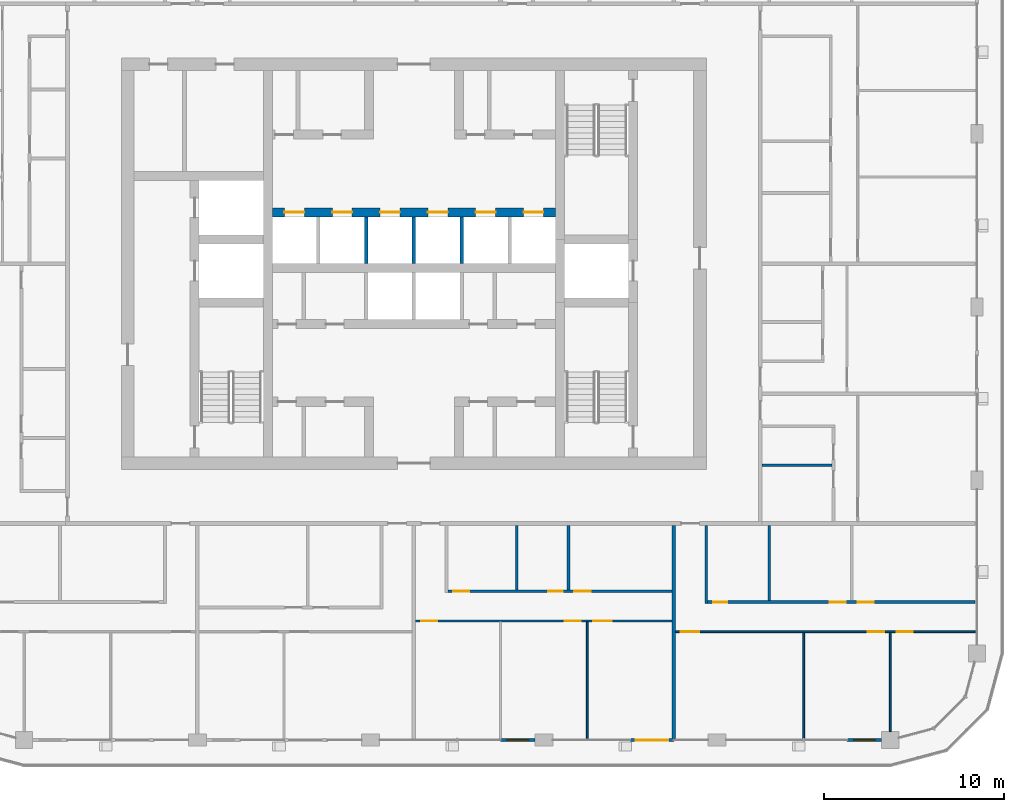
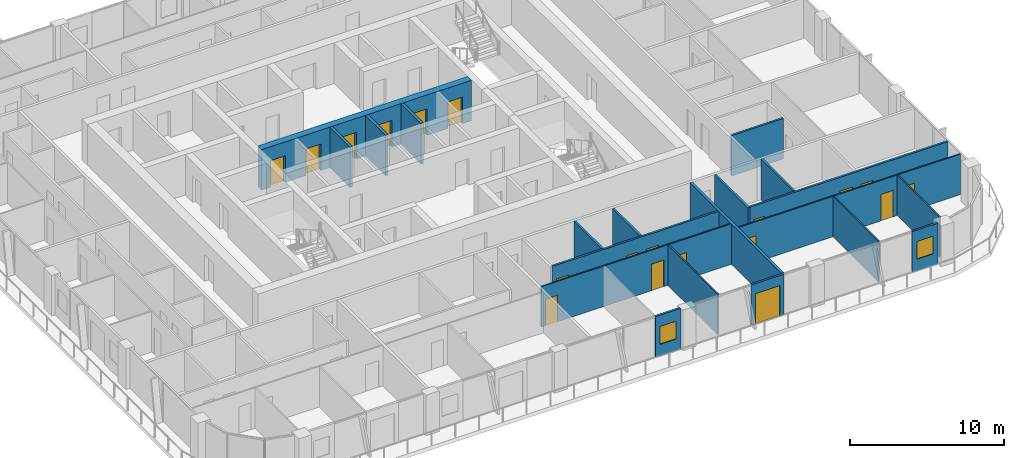
# One storey, part 11 of 22: 20 walls, 19 doors, 2 windows, 21 openings.
"""IFC4 building model written with IfcOpenShell, lengths in metres."""

from ifc_helpers import new_model, si_unit, direction, frame, frame_2d, origin, place, context, subcontext, project, spatial, rectangle, extrude, material, layer, layer_set, type_object, element, fill, save


model = new_model("IFC4")

# Units and contexts
model_context = context("Model", 3, precision=1e-05, world=origin(), true_north=direction((0.0, 1.0)))
body_context = subcontext(model_context, "Body", "Model", "MODEL_VIEW")
ifc_project = project(units=[si_unit("LENGTHUNIT", "METRE"), si_unit("AREAUNIT", "SQUARE_METRE"), si_unit("VOLUMEUNIT", "CUBIC_METRE"), si_unit("PLANEANGLEUNIT", "RADIAN"), si_unit("MASSUNIT", "GRAM", prefix="KILO")], contexts=[model_context])

# Site, building, storey
site_placement = place(None, origin())
site = spatial("IfcSite", under=ifc_project, at=site_placement, CompositionType="ELEMENT")
building_placement = place(site_placement, origin())
building = spatial("IfcBuilding", under=site, at=building_placement, Name="Madar Terraces", CompositionType="ELEMENT")
storey_placement = place(building_placement, frame((0.0, 0.0, 189.39990234375)))
storey = spatial("IfcBuildingStorey", under=building, at=storey_placement, Name="L49", CompositionType="ELEMENT", Elevation=189.39990234375)

# Wall, openings, doors
ifc_material_1 = material(Name="Concrete C60/75", Category="concrete")
ifc_layer_1 = layer(ifc_material_1, 0.5)
ifc_layer_set_1 = layer_set([ifc_layer_1], Name="Concrete C60/75 (CIW4 RC wall 500)")
wall_type_1 = type_object("IfcWallType", Name="CIW4 RC wall 500", PredefinedType="SHEAR", material=ifc_layer_set_1)
wall_1_placement = place(storey_placement, frame((23.35009765625, 29.25, 0.0), z_axis=(0.0, 0.0, 1.0), x_axis=(1.0, 0.0, 0.0)))
wall_1 = element("IfcWall", 1, at=wall_1_placement, inside=storey, type_object=wall_type_1, Name="CORE SHAFT WALL", PredefinedType="SHEAR", context=body_context, shape_type="SweptSolid", body=[
    extrude(rectangle(XDim=15.699951171875, YDim=0.5, at=frame_2d((7.85009765625, 0.0))), origin(), (0.0, 0.0, 1.0), 3.2001953125),
])
opening_1_placement = place(wall_1_placement, frame((0.675048828125, 0.0, 0.0)))
opening_1 = element("IfcOpeningElement", 2, at=opening_1_placement, cuts=wall_1, Name="Opening LD", PredefinedType="OPENING", context=body_context, shape_type="SweptSolid", body=[
    extrude(rectangle(XDim=1.10009765625, YDim=2.10009765625, at=frame_2d((0.550048828125, 1.050048828125))), frame((0.0, 0.260009765625, 0.0), z_axis=(0.0, -1.0, 0.0), x_axis=(1.0, 0.0, 0.0)), (0.0, 0.0, 1.0), 0.52001953125),
])
opening_2_placement = place(wall_1_placement, frame((3.324951171875, 0.0, 0.0)))
opening_2 = element("IfcOpeningElement", 3, at=opening_2_placement, cuts=wall_1, Name="Opening LD", PredefinedType="OPENING", context=body_context, shape_type="SweptSolid", body=[
    extrude(rectangle(XDim=1.10009765625, YDim=2.10009765625, at=frame_2d((0.550048828125, 1.050048828125))), frame((0.0, 0.260009765625, 0.0), z_axis=(0.0, -1.0, 0.0), x_axis=(1.0, 0.0, 0.0)), (0.0, 0.0, 1.0), 0.52001953125),
])
opening_3_placement = place(wall_1_placement, frame((5.97509765625, 0.0, 0.0)))
opening_3 = element("IfcOpeningElement", 4, at=opening_3_placement, cuts=wall_1, Name="Opening LD", PredefinedType="OPENING", context=body_context, shape_type="SweptSolid", body=[
    extrude(rectangle(XDim=1.10009765625, YDim=2.10009765625, at=frame_2d((0.550048828125, 1.050048828125))), frame((0.0, 0.260009765625, 0.0), z_axis=(0.0, -1.0, 0.0), x_axis=(1.0, 0.0, 0.0)), (0.0, 0.0, 1.0), 0.52001953125),
])
opening_4_placement = place(wall_1_placement, frame((8.625, 0.0, 0.0)))
opening_4 = element("IfcOpeningElement", 5, at=opening_4_placement, cuts=wall_1, Name="Opening LD", PredefinedType="OPENING", context=body_context, shape_type="SweptSolid", body=[
    extrude(rectangle(XDim=1.10009765625, YDim=2.10009765625, at=frame_2d((0.550048828125, 1.050048828125))), frame((0.0, 0.260009765625, 0.0), z_axis=(0.0, -1.0, 0.0), x_axis=(1.0, 0.0, 0.0)), (0.0, 0.0, 1.0), 0.52001953125),
])
opening_5_placement = place(wall_1_placement, frame((11.27490234375, 0.0, 0.0)))
opening_5 = element("IfcOpeningElement", 6, at=opening_5_placement, cuts=wall_1, Name="Opening LD", PredefinedType="OPENING", context=body_context, shape_type="SweptSolid", body=[
    extrude(rectangle(XDim=1.10009765625, YDim=2.10009765625, at=frame_2d((0.550048828125, 1.050048828125))), frame((0.0, 0.260009765625, 0.0), z_axis=(0.0, -1.0, 0.0), x_axis=(1.0, 0.0, 0.0)), (0.0, 0.0, 1.0), 0.52001953125),
])
opening_6_placement = place(wall_1_placement, frame((13.925048828125, 0.0, 0.0)))
opening_6 = element("IfcOpeningElement", 7, at=opening_6_placement, cuts=wall_1, Name="Opening LD", PredefinedType="OPENING", context=body_context, shape_type="SweptSolid", body=[
    extrude(rectangle(XDim=1.10009765625, YDim=2.10009765625, at=frame_2d((0.550048828125, 1.050048828125))), frame((0.0, 0.260009765625, 0.0), z_axis=(0.0, -1.0, 0.0), x_axis=(1.0, 0.0, 0.0)), (0.0, 0.0, 1.0), 0.52001953125),
])
ifc_material_2 = material(Name="Stainless steel panel", Category="steel")
door_type_1 = type_object("IfcDoorType", Name="Lift landing door 1100 x 2100", OperationType="DOUBLE_DOOR_SLIDING", PredefinedType="DOOR", material=ifc_material_2)
door_1_placement = place(opening_1_placement, origin())
door_1 = element("IfcDoor", 8, at=door_1_placement, inside=storey, type_object=door_type_1, Name="LIFT LANDING DOOR", OperationType="DOUBLE_DOOR_SLIDING", OverallHeight=2.10009765625, OverallWidth=1.10009765625, PredefinedType="DOOR", context=body_context, shape_type="SweptSolid", body=[
    extrude(rectangle(XDim=1.10009765625, YDim=2.10009765625, at=frame_2d((0.550048828125, 1.050048828125))), frame((0.0, 0.02490234375, 0.0), z_axis=(0.0, -1.0, 0.0), x_axis=(1.0, 0.0, 0.0)), (0.0, 0.0, 1.0), 0.050048828125),
])
fill(opening_1, door_1)
door_2_placement = place(opening_2_placement, origin())
door_2 = element("IfcDoor", 9, at=door_2_placement, inside=storey, type_object=door_type_1, Name="LIFT LANDING DOOR", OperationType="DOUBLE_DOOR_SLIDING", OverallHeight=2.10009765625, OverallWidth=1.10009765625, PredefinedType="DOOR", context=body_context, shape_type="SweptSolid", body=[
    extrude(rectangle(XDim=1.10009765625, YDim=2.10009765625, at=frame_2d((0.550048828125, 1.050048828125))), frame((0.0, 0.02490234375, 0.0), z_axis=(0.0, -1.0, 0.0), x_axis=(1.0, 0.0, 0.0)), (0.0, 0.0, 1.0), 0.050048828125),
])
fill(opening_2, door_2)
door_3_placement = place(opening_3_placement, origin())
door_3 = element("IfcDoor", 10, at=door_3_placement, inside=storey, type_object=door_type_1, Name="LIFT LANDING DOOR", OperationType="DOUBLE_DOOR_SLIDING", OverallHeight=2.10009765625, OverallWidth=1.10009765625, PredefinedType="DOOR", context=body_context, shape_type="SweptSolid", body=[
    extrude(rectangle(XDim=1.10009765625, YDim=2.10009765625, at=frame_2d((0.550048828125, 1.050048828125))), frame((0.0, 0.02490234375, 0.0), z_axis=(0.0, -1.0, 0.0), x_axis=(1.0, 0.0, 0.0)), (0.0, 0.0, 1.0), 0.050048828125),
])
fill(opening_3, door_3)
door_4_placement = place(opening_4_placement, origin())
door_4 = element("IfcDoor", 11, at=door_4_placement, inside=storey, type_object=door_type_1, Name="LIFT LANDING DOOR", OperationType="DOUBLE_DOOR_SLIDING", OverallHeight=2.10009765625, OverallWidth=1.10009765625, PredefinedType="DOOR", context=body_context, shape_type="SweptSolid", body=[
    extrude(rectangle(XDim=1.10009765625, YDim=2.10009765625, at=frame_2d((0.550048828125, 1.050048828125))), frame((0.0, 0.02490234375, 0.0), z_axis=(0.0, -1.0, 0.0), x_axis=(1.0, 0.0, 0.0)), (0.0, 0.0, 1.0), 0.050048828125),
])
fill(opening_4, door_4)
door_5_placement = place(opening_5_placement, origin())
door_5 = element("IfcDoor", 12, at=door_5_placement, inside=storey, type_object=door_type_1, Name="LIFT LANDING DOOR", OperationType="DOUBLE_DOOR_SLIDING", OverallHeight=2.10009765625, OverallWidth=1.10009765625, PredefinedType="DOOR", context=body_context, shape_type="SweptSolid", body=[
    extrude(rectangle(XDim=1.10009765625, YDim=2.10009765625, at=frame_2d((0.550048828125, 1.050048828125))), frame((0.0, 0.02490234375, 0.0), z_axis=(0.0, -1.0, 0.0), x_axis=(1.0, 0.0, 0.0)), (0.0, 0.0, 1.0), 0.050048828125),
])
fill(opening_5, door_5)
door_6_placement = place(opening_6_placement, origin())
door_6 = element("IfcDoor", 13, at=door_6_placement, inside=storey, type_object=door_type_1, Name="LIFT LANDING DOOR", OperationType="DOUBLE_DOOR_SLIDING", OverallHeight=2.10009765625, OverallWidth=1.10009765625, PredefinedType="DOOR", context=body_context, shape_type="SweptSolid", body=[
    extrude(rectangle(XDim=1.10009765625, YDim=2.10009765625, at=frame_2d((0.550048828125, 1.050048828125))), frame((0.0, 0.02490234375, 0.0), z_axis=(0.0, -1.0, 0.0), x_axis=(1.0, 0.0, 0.0)), (0.0, 0.0, 1.0), 0.050048828125),
])
fill(opening_6, door_6)

# Walls
ifc_material_3 = material(Name="Concrete C40/50", Category="concrete")
ifc_layer_2 = layer(ifc_material_3, 0.199951171875)
ifc_layer_set_2 = layer_set([ifc_layer_2], Name="Core shaft dividing wall 200 C40/50")
wall_type_2 = type_object("IfcWallType", Name="Core shaft dividing wall 200 C40/50", PredefinedType="SOLIDWALL", material=ifc_layer_set_2)
for number, where, z_axis, x_axis, name in (
    (14, (28.550048828125, 26.39990234375, 0.0), (0.0, 0.0, 1.0), (0.0, 1.0, 0.0), "SHAFT DIVIDING WALL"),
    (15, (31.199951171875, 26.39990234375, 0.0), (0.0, 0.0, 1.0), (0.0, 1.0, 0.0), "SHAFT DIVIDING WALL"),
    (16, (33.85009765625, 26.39990234375, 0.0), (0.0, 0.0, 1.0), (0.0, 1.0, 0.0), "SHAFT DIVIDING WALL"),
):
    element("IfcWall", number, at=place(storey_placement, frame(where, z_axis=z_axis, x_axis=x_axis)), inside=storey, type_object=wall_type_2, Name=name, PredefinedType="SOLIDWALL", context=body_context, shape_type="SweptSolid", body=[
        extrude(rectangle(XDim=2.60009765625, YDim=0.199951171875, at=frame_2d((1.300048828125, 0.0))), origin(), (0.0, 0.0, 1.0), 3.2001953125),
    ])

# Wall, opening, window
ifc_material_4 = material(Name="Aluminium composite panel, black, over insulated backing", Category="aluminium")
ifc_layer_3 = layer(ifc_material_4, 0.14990234375)
ifc_layer_set_3 = layer_set([ifc_layer_3], Name="Facade bay panel 150")
wall_type_3 = type_object("IfcWallType", Name="Facade bay panel 150", PredefinedType="SOLIDWALL", material=ifc_layer_set_3)
wall_2_placement = place(storey_placement, frame((36.0, 0.0, 0.0), z_axis=(0.0, 0.0, 1.0), x_axis=(1.0, 0.0, 0.0)))
wall_2 = element("IfcWall", 17, at=wall_2_placement, inside=storey, type_object=wall_type_3, Name="Facade bay panel", PredefinedType="SOLIDWALL", context=body_context, shape_type="SweptSolid", body=[
    extrude(rectangle(XDim=1.89990234375, YDim=0.14990234375, at=frame_2d((0.949951171875, 0.0))), origin(), (0.0, 0.0, 1.0), 3.2001953125),
])
opening_7_placement = place(wall_2_placement, frame((0.35009765625, 0.0, 0.89990234375)))
opening_7 = element("IfcOpeningElement", 18, at=opening_7_placement, cuts=wall_2, Name="Opening W1", PredefinedType="OPENING", context=body_context, shape_type="SweptSolid", body=[
    extrude(rectangle(XDim=1.199951171875, YDim=1.39990234375, at=frame_2d((0.60009765625, 0.699951171875))), frame((0.0, 0.0849609375, 0.0), z_axis=(0.0, -1.0, 0.0), x_axis=(1.0, 0.0, 0.0)), (0.0, 0.0, 1.0), 0.169921875),
])
ifc_material_5 = material(Name="Glass, clear, with black aluminium frame", Category="aluminium")
window_type = type_object("IfcWindowType", Name="Vent window 1200 x 1400", PartitioningType="SINGLE_PANEL", PredefinedType="WINDOW", material=ifc_material_5)
window_1_placement = place(opening_7_placement, origin())
window_1 = element("IfcWindow", 19, at=window_1_placement, inside=storey, type_object=window_type, Name="Operable vent window", OverallHeight=1.39990234375, OverallWidth=1.199951171875, PartitioningType="SINGLE_PANEL", PredefinedType="WINDOW", context=body_context, shape_type="SweptSolid", body=[
    extrude(rectangle(XDim=1.199951171875, YDim=1.39990234375, at=frame_2d((0.60009765625, 0.699951171875))), frame((0.0, 0.030029296875, 0.0), z_axis=(0.0, -1.0, 0.0), x_axis=(1.0, 0.0, 0.0)), (0.0, 0.0, 1.0), 0.06005859375),
])
fill(opening_7, window_1)

# Wall, opening, door
wall_3_placement = place(storey_placement, frame((43.199951171875, 0.0, 0.0), z_axis=(0.0, 0.0, 1.0), x_axis=(1.0, 0.0, 0.0)))
wall_3 = element("IfcWall", 20, at=wall_3_placement, inside=storey, type_object=wall_type_3, Name="Facade bay panel", PredefinedType="SOLIDWALL", context=body_context, shape_type="SweptSolid", body=[
    extrude(rectangle(XDim=2.400146484375, YDim=0.14990234375, at=frame_2d((1.2001953125, 0.0))), origin(), (0.0, 0.0, 1.0), 3.2001953125),
])
opening_8_placement = place(wall_3_placement, frame((0.300048828125, 0.0, 0.0)))
opening_8 = element("IfcOpeningElement", 21, at=opening_8_placement, cuts=wall_3, Name="Opening ED1", PredefinedType="OPENING", context=body_context, shape_type="SweptSolid", body=[
    extrude(rectangle(XDim=1.800048828125, YDim=2.39990234375, at=frame_2d((0.89990234375, 1.199951171875))), frame((0.0, 0.0849609375, 0.0), z_axis=(0.0, -1.0, 0.0), x_axis=(1.0, 0.0, 0.0)), (0.0, 0.0, 1.0), 0.169921875),
])
ifc_material_6 = material(Name="Glass, clear, with black aluminium frame", Category="aluminium")
door_type_2 = type_object("IfcDoorType", Name="Balcony and terrace sliding door 1800 x 2400", OperationType="SLIDING_TO_LEFT", PredefinedType="DOOR", material=ifc_material_6)
door_7_placement = place(opening_8_placement, origin())
door_7 = element("IfcDoor", 22, at=door_7_placement, inside=storey, type_object=door_type_2, Name="Balcony door", OperationType="SLIDING_TO_LEFT", OverallHeight=2.39990234375, OverallWidth=1.800048828125, PredefinedType="DOOR", context=body_context, shape_type="SweptSolid", body=[
    extrude(rectangle(XDim=1.800048828125, YDim=2.39990234375, at=frame_2d((0.89990234375, 1.199951171875))), frame((0.0, 0.02490234375, 0.0), z_axis=(0.0, -1.0, 0.0), x_axis=(1.0, 0.0, 0.0)), (0.0, 0.0, 1.0), 0.050048828125),
])
fill(opening_8, door_7)

# Wall, opening, window
wall_4_placement = place(storey_placement, frame((55.199951171875, 0.0, 0.0), z_axis=(0.0, 0.0, 1.0), x_axis=(1.0, 0.0, 0.0)))
wall_4 = element("IfcWall", 23, at=wall_4_placement, inside=storey, type_object=wall_type_3, Name="Facade bay panel", PredefinedType="SOLIDWALL", context=body_context, shape_type="SweptSolid", body=[
    extrude(rectangle(XDim=1.925048828125, YDim=0.14990234375, at=frame_2d((0.96240234375, 0.0))), origin(), (0.0, 0.0, 1.0), 3.2001953125),
])
opening_9_placement = place(wall_4_placement, frame((0.362548828125, 0.0, 0.89990234375)))
opening_9 = element("IfcOpeningElement", 24, at=opening_9_placement, cuts=wall_4, Name="Opening W1", PredefinedType="OPENING", context=body_context, shape_type="SweptSolid", body=[
    extrude(rectangle(XDim=1.199951171875, YDim=1.39990234375, at=frame_2d((0.60009765625, 0.699951171875))), frame((0.0, 0.0849609375, 0.0), z_axis=(0.0, -1.0, 0.0), x_axis=(1.0, 0.0, 0.0)), (0.0, 0.0, 1.0), 0.169921875),
])
window_2_placement = place(opening_9_placement, origin())
window_2 = element("IfcWindow", 25, at=window_2_placement, inside=storey, type_object=window_type, Name="Operable vent window", OverallHeight=1.39990234375, OverallWidth=1.199951171875, PartitioningType="SINGLE_PANEL", PredefinedType="WINDOW", context=body_context, shape_type="SweptSolid", body=[
    extrude(rectangle(XDim=1.199951171875, YDim=1.39990234375, at=frame_2d((0.60009765625, 0.699951171875))), frame((0.0, 0.030029296875, 0.0), z_axis=(0.0, -1.0, 0.0), x_axis=(1.0, 0.0, 0.0)), (0.0, 0.0, 1.0), 0.06005859375),
])
fill(opening_9, window_2)

# Wall
ifc_material_7 = material(Name="Gypsum board on steel studs", Category="steel")
ifc_layer_4 = layer(ifc_material_7, 0.10009765625)
ifc_layer_set_4 = layer_set([ifc_layer_4], Name="Flat partition 100")
wall_type_4 = type_object("IfcWallType", Name="Flat partition 100", PredefinedType="PARTITIONING", material=ifc_layer_set_4)
wall_5_placement = place(storey_placement, frame((40.800048828125, 6.550048828125, 0.0), z_axis=(0.0, 0.0, 1.0), x_axis=(0.0, -1.0, 0.0)))
element("IfcWall", 26, at=wall_5_placement, inside=storey, type_object=wall_type_4, Name="Flat partition 100", PredefinedType="PARTITIONING", context=body_context, shape_type="SweptSolid", body=[
    extrude(rectangle(XDim=6.449951171875, YDim=0.10009765625, at=frame_2d((3.22509765625, 0.0))), origin(), (0.0, 0.0, 1.0), 3.2001953125),
])

# Wall, openings, doors
wall_6_placement = place(storey_placement, frame((45.5, 6.60009765625, 0.0), z_axis=(0.0, 0.0, 1.0), x_axis=(-1.0, 0.0, 0.0)))
wall_6 = element("IfcWall", 27, at=wall_6_placement, inside=storey, type_object=wall_type_4, Name="Flat partition 100", PredefinedType="PARTITIONING", context=body_context, shape_type="SweptSolid", body=[
    extrude(rectangle(XDim=14.199951171875, YDim=0.10009765625, at=frame_2d((7.10009765625, 0.0))), origin(), (0.0, 0.0, 1.0), 3.2001953125),
])
opening_10_placement = place(wall_6_placement, frame((13.0, 0.0, 0.0)))
opening_10 = element("IfcOpeningElement", 28, at=opening_10_placement, cuts=wall_6, Name="Opening D2", PredefinedType="OPENING", context=body_context, shape_type="SweptSolid", body=[
    extrude(rectangle(XDim=0.89990234375, YDim=2.10009765625, at=frame_2d((0.449951171875, 1.050048828125))), frame((0.0, 0.06005859375, 0.0), z_axis=(0.0, -1.0, 0.0), x_axis=(1.0, 0.0, 0.0)), (0.0, 0.0, 1.0), 0.1201171875),
])
opening_11_placement = place(wall_6_placement, frame((5.050048828125, 0.0, 0.0)))
opening_11 = element("IfcOpeningElement", 29, at=opening_11_placement, cuts=wall_6, Name="Opening D2", PredefinedType="OPENING", context=body_context, shape_type="SweptSolid", body=[
    extrude(rectangle(XDim=0.89990234375, YDim=2.10009765625, at=frame_2d((0.449951171875, 1.050048828125))), frame((0.0, 0.06005859375, 0.0), z_axis=(0.0, -1.0, 0.0), x_axis=(1.0, 0.0, 0.0)), (0.0, 0.0, 1.0), 0.1201171875),
])
opening_12_placement = place(wall_6_placement, frame((3.35009765625, 0.0, 0.0)))
opening_12 = element("IfcOpeningElement", 30, at=opening_12_placement, cuts=wall_6, Name="Opening D3", PredefinedType="OPENING", context=body_context, shape_type="SweptSolid", body=[
    extrude(rectangle(XDim=1.0, YDim=2.10009765625, at=frame_2d((0.5, 1.050048828125))), frame((0.0, 0.06005859375, 0.0), z_axis=(0.0, -1.0, 0.0), x_axis=(1.0, 0.0, 0.0)), (0.0, 0.0, 1.0), 0.1201171875),
])
ifc_material_8 = material(Name="Timber door leaf", Category="wood")
door_type_3 = type_object("IfcDoorType", Name="Flat living room door 1000", OperationType="NOTDEFINED", PredefinedType="DOOR", material=ifc_material_8)
door_8_placement = place(opening_12_placement, origin())
door_8 = element("IfcDoor", 31, at=door_8_placement, inside=storey, type_object=door_type_3, Name="Flat living room door 1000", OperationType="SINGLE_SWING_RIGHT", OverallHeight=2.10009765625, OverallWidth=1.0, PredefinedType="DOOR", context=body_context, shape_type="SweptSolid", body=[
    extrude(rectangle(XDim=1.0, YDim=2.10009765625, at=frame_2d((0.5, 1.050048828125))), frame((0.0, 0.02490234375, 0.0), z_axis=(0.0, -1.0, 0.0), x_axis=(1.0, 0.0, 0.0)), (0.0, 0.0, 1.0), 0.050048828125),
])
fill(opening_12, door_8)
ifc_material_9 = material(Name="Timber door leaf", Category="wood")
door_type_4 = type_object("IfcDoorType", Name="Flat room door 900", OperationType="NOTDEFINED", PredefinedType="DOOR", material=ifc_material_9)
door_9_placement = place(opening_10_placement, origin())
door_9 = element("IfcDoor", 32, at=door_9_placement, inside=storey, type_object=door_type_4, Name="Flat room door 900", OperationType="SINGLE_SWING_RIGHT", OverallHeight=2.10009765625, OverallWidth=0.89990234375, PredefinedType="DOOR", context=body_context, shape_type="SweptSolid", body=[
    extrude(rectangle(XDim=0.89990234375, YDim=2.10009765625, at=frame_2d((0.449951171875, 1.050048828125))), frame((0.0, 0.02490234375, 0.0), z_axis=(0.0, -1.0, 0.0), x_axis=(1.0, 0.0, 0.0)), (0.0, 0.0, 1.0), 0.050048828125),
])
fill(opening_10, door_9)
door_10_placement = place(opening_11_placement, origin())
door_10 = element("IfcDoor", 33, at=door_10_placement, inside=storey, type_object=door_type_4, Name="Flat room door 900", OperationType="SINGLE_SWING_LEFT", OverallHeight=2.10009765625, OverallWidth=0.89990234375, PredefinedType="DOOR", context=body_context, shape_type="SweptSolid", body=[
    extrude(rectangle(XDim=0.89990234375, YDim=2.10009765625, at=frame_2d((0.449951171875, 1.050048828125))), frame((0.0, 0.02490234375, 0.0), z_axis=(0.0, -1.0, 0.0), x_axis=(1.0, 0.0, 0.0)), (0.0, 0.0, 1.0), 0.050048828125),
])
fill(opening_11, door_10)

# Walls
wall_7_placement = place(storey_placement, frame((52.800048828125, 5.949951171875, 0.0), z_axis=(0.0, 0.0, 1.0), x_axis=(0.0, -1.0, 0.0)))
element("IfcWall", 34, at=wall_7_placement, inside=storey, type_object=wall_type_4, Name="Flat partition 100", PredefinedType="PARTITIONING", context=body_context, shape_type="SweptSolid", body=[
    extrude(rectangle(XDim=5.849853515625, YDim=0.10009765625, at=frame_2d((2.9248046875, 0.0))), origin(), (0.0, 0.0, 1.0), 3.2001953125),
])
wall_8_placement = place(storey_placement, frame((57.60009765625, 5.949951171875, 0.0), z_axis=(0.0, 0.0, 1.0), x_axis=(0.0, -1.0, 0.0)))
element("IfcWall", 35, at=wall_8_placement, inside=storey, type_object=wall_type_4, Name="Flat partition 100", PredefinedType="PARTITIONING", context=body_context, shape_type="SweptSolid", body=[
    extrude(rectangle(XDim=5.474853515625, YDim=0.10009765625, at=frame_2d((2.7373046875, 0.0))), origin(), (0.0, 0.0, 1.0), 3.2001953125),
])

# Wall, openings, doors
wall_9_placement = place(storey_placement, frame((62.300048828125, 6.0, 0.0), z_axis=(0.0, 0.0, 1.0), x_axis=(-1.0, 0.0, 0.0)))
wall_9 = element("IfcWall", 36, at=wall_9_placement, inside=storey, type_object=wall_type_4, Name="Flat partition 100", PredefinedType="PARTITIONING", context=body_context, shape_type="SweptSolid", body=[
    extrude(rectangle(XDim=16.60009765625, YDim=0.10009765625, at=frame_2d((8.300048828125, 0.0))), origin(), (0.0, 0.0, 1.0), 3.2001953125),
])
opening_13_placement = place(wall_9_placement, frame((15.300048828125, 0.0, 0.0)))
opening_13 = element("IfcOpeningElement", 37, at=opening_13_placement, cuts=wall_9, Name="Opening D3", PredefinedType="OPENING", context=body_context, shape_type="SweptSolid", body=[
    extrude(rectangle(XDim=1.0, YDim=2.10009765625, at=frame_2d((0.5, 1.050048828125))), frame((0.0, 0.06005859375, 0.0), z_axis=(0.0, -1.0, 0.0), x_axis=(1.0, 0.0, 0.0)), (0.0, 0.0, 1.0), 0.1201171875),
])
opening_14_placement = place(wall_9_placement, frame((5.050048828125, 0.0, 0.0)))
opening_14 = element("IfcOpeningElement", 38, at=opening_14_placement, cuts=wall_9, Name="Opening D2", PredefinedType="OPENING", context=body_context, shape_type="SweptSolid", body=[
    extrude(rectangle(XDim=0.89990234375, YDim=2.10009765625, at=frame_2d((0.449951171875, 1.050048828125))), frame((0.0, 0.06005859375, 0.0), z_axis=(0.0, -1.0, 0.0), x_axis=(1.0, 0.0, 0.0)), (0.0, 0.0, 1.0), 0.1201171875),
])
opening_15_placement = place(wall_9_placement, frame((3.449951171875, 0.0, 0.0)))
opening_15 = element("IfcOpeningElement", 39, at=opening_15_placement, cuts=wall_9, Name="Opening D2", PredefinedType="OPENING", context=body_context, shape_type="SweptSolid", body=[
    extrude(rectangle(XDim=0.89990234375, YDim=2.10009765625, at=frame_2d((0.449951171875, 1.050048828125))), frame((0.0, 0.06005859375, 0.0), z_axis=(0.0, -1.0, 0.0), x_axis=(1.0, 0.0, 0.0)), (0.0, 0.0, 1.0), 0.1201171875),
])
door_11_placement = place(opening_13_placement, origin())
door_11 = element("IfcDoor", 40, at=door_11_placement, inside=storey, type_object=door_type_3, Name="Flat living room door 1000", OperationType="SINGLE_SWING_RIGHT", OverallHeight=2.10009765625, OverallWidth=1.0, PredefinedType="DOOR", context=body_context, shape_type="SweptSolid", body=[
    extrude(rectangle(XDim=1.0, YDim=2.10009765625, at=frame_2d((0.5, 1.050048828125))), frame((0.0, 0.02490234375, 0.0), z_axis=(0.0, -1.0, 0.0), x_axis=(1.0, 0.0, 0.0)), (0.0, 0.0, 1.0), 0.050048828125),
])
fill(opening_13, door_11)
door_12_placement = place(opening_14_placement, origin())
door_12 = element("IfcDoor", 41, at=door_12_placement, inside=storey, type_object=door_type_4, Name="Flat room door 900", OperationType="SINGLE_SWING_LEFT", OverallHeight=2.10009765625, OverallWidth=0.89990234375, PredefinedType="DOOR", context=body_context, shape_type="SweptSolid", body=[
    extrude(rectangle(XDim=0.89990234375, YDim=2.10009765625, at=frame_2d((0.449951171875, 1.050048828125))), frame((0.0, 0.02490234375, 0.0), z_axis=(0.0, -1.0, 0.0), x_axis=(1.0, 0.0, 0.0)), (0.0, 0.0, 1.0), 0.050048828125),
])
fill(opening_14, door_12)
door_13_placement = place(opening_15_placement, origin())
door_13 = element("IfcDoor", 42, at=door_13_placement, inside=storey, type_object=door_type_4, Name="Flat room door 900", OperationType="SINGLE_SWING_RIGHT", OverallHeight=2.10009765625, OverallWidth=0.89990234375, PredefinedType="DOOR", context=body_context, shape_type="SweptSolid", body=[
    extrude(rectangle(XDim=0.89990234375, YDim=2.10009765625, at=frame_2d((0.449951171875, 1.050048828125))), frame((0.0, 0.02490234375, 0.0), z_axis=(0.0, -1.0, 0.0), x_axis=(1.0, 0.0, 0.0)), (0.0, 0.0, 1.0), 0.050048828125),
])
fill(opening_15, door_13)

# Walls
ifc_material_10 = material(Name="Lightweight blockwork", Category="masonry")
ifc_layer_5 = layer(ifc_material_10, 0.199951171875)
ifc_layer_set_5 = layer_set([ifc_layer_5], Name="Flat party and entrance wall 200")
wall_type_5 = type_object("IfcWallType", Name="Flat party and entrance wall 200", PredefinedType="PARTITIONING", material=ifc_layer_set_5)
wall_10_placement = place(storey_placement, frame((45.60009765625, 11.89990234375, 0.0), z_axis=(0.0, 0.0, 1.0), x_axis=(0.0, -1.0, 0.0)))
element("IfcWall", 43, at=wall_10_placement, inside=storey, type_object=wall_type_5, Name="Flat party and entrance wall 200", PredefinedType="PARTITIONING", context=body_context, shape_type="SweptSolid", body=[
    extrude(rectangle(XDim=11.7998046875, YDim=0.199951171875, at=frame_2d((5.89990234375, 0.0))), origin(), (0.0, 0.0, 1.0), 3.2001953125),
])
ifc_material_11 = material(Name="Lightweight blockwork", Category="masonry")
ifc_layer_6 = layer(ifc_material_11, 0.14990234375)
ifc_layer_set_6 = layer_set([ifc_layer_6], Name="Flat wet-room partition 150")
wall_type_6 = type_object("IfcWallType", Name="Flat wet-room partition 150", PredefinedType="PARTITIONING", material=ifc_layer_set_6)
for number, where, z_axis, x_axis, name in (
    (44, (36.898193359375, 11.89990234375, 0.0), (0.0, 0.0, 1.0), (0.0, -1.0, 0.0), "Flat wet-room partition 150"),
    (45, (39.765380859375, 11.89990234375, 0.0), (0.0, 0.0, 1.0), (0.0, -1.0, 0.0), "Flat wet-room partition 150"),
):
    element("IfcWall", number, at=place(storey_placement, frame(where, z_axis=z_axis, x_axis=x_axis)), inside=storey, type_object=wall_type_6, Name=name, PredefinedType="PARTITIONING", context=body_context, shape_type="SweptSolid", body=[
        extrude(rectangle(XDim=3.574951171875, YDim=0.14990234375, at=frame_2d((1.78759765625, 0.0))), origin(), (0.0, 0.0, 1.0), 3.2001953125),
    ])

# Wall, openings, doors
wall_11_placement = place(storey_placement, frame((33.074951171875, 8.25, 0.0), z_axis=(0.0, 0.0, 1.0), x_axis=(1.0, 0.0, 0.0)))
wall_11 = element("IfcWall", 46, at=wall_11_placement, inside=storey, type_object=wall_type_6, Name="Flat wet-room partition 150", PredefinedType="PARTITIONING", context=body_context, shape_type="SweptSolid", body=[
    extrude(rectangle(XDim=12.425048828125, YDim=0.14990234375, at=frame_2d((6.21240234375, 0.0))), origin(), (0.0, 0.0, 1.0), 3.2001953125),
])
opening_16_placement = place(wall_11_placement, frame((0.300048828125, 0.0, 0.0)))
opening_16 = element("IfcOpeningElement", 47, at=opening_16_placement, cuts=wall_11, Name="Opening D5", PredefinedType="OPENING", context=body_context, shape_type="SweptSolid", body=[
    extrude(rectangle(XDim=0.89990234375, YDim=2.10009765625, at=frame_2d((0.449951171875, 1.050048828125))), frame((0.0, 0.0849609375, 0.0), z_axis=(0.0, -1.0, 0.0), x_axis=(1.0, 0.0, 0.0)), (0.0, 0.0, 1.0), 0.169921875),
])
opening_17_placement = place(wall_11_placement, frame((5.5654296875, 0.0, 0.0)))
opening_17 = element("IfcOpeningElement", 48, at=opening_17_placement, cuts=wall_11, Name="Opening D4", PredefinedType="OPENING", context=body_context, shape_type="SweptSolid", body=[
    extrude(rectangle(XDim=0.800048828125, YDim=2.10009765625, at=frame_2d((0.39990234375, 1.050048828125))), frame((0.0, 0.0849609375, 0.0), z_axis=(0.0, -1.0, 0.0), x_axis=(1.0, 0.0, 0.0)), (0.0, 0.0, 1.0), 0.169921875),
])
opening_18_placement = place(wall_11_placement, frame((7.015380859375, 0.0, 0.0)))
opening_18 = element("IfcOpeningElement", 49, at=opening_18_placement, cuts=wall_11, Name="Opening D2", PredefinedType="OPENING", context=body_context, shape_type="SweptSolid", body=[
    extrude(rectangle(XDim=0.89990234375, YDim=2.10009765625, at=frame_2d((0.449951171875, 1.050048828125))), frame((0.0, 0.0849609375, 0.0), z_axis=(0.0, -1.0, 0.0), x_axis=(1.0, 0.0, 0.0)), (0.0, 0.0, 1.0), 0.169921875),
])
ifc_material_12 = material(Name="Timber door leaf", Category="wood")
door_type_5 = type_object("IfcDoorType", Name="Flat accessible bathroom door 900", OperationType="NOTDEFINED", PredefinedType="DOOR", material=ifc_material_12)
door_14_placement = place(opening_16_placement, origin())
door_14 = element("IfcDoor", 50, at=door_14_placement, inside=storey, type_object=door_type_5, Name="Flat accessible bathroom door 900", OperationType="SINGLE_SWING_LEFT", OverallHeight=2.10009765625, OverallWidth=0.89990234375, PredefinedType="DOOR", context=body_context, shape_type="SweptSolid", body=[
    extrude(rectangle(XDim=0.89990234375, YDim=2.10009765625, at=frame_2d((0.449951171875, 1.050048828125))), frame((0.0, 0.02490234375, 0.0), z_axis=(0.0, -1.0, 0.0), x_axis=(1.0, 0.0, 0.0)), (0.0, 0.0, 1.0), 0.050048828125),
])
fill(opening_16, door_14)
ifc_material_13 = material(Name="Timber door leaf", Category="wood")
door_type_6 = type_object("IfcDoorType", Name="Flat bathroom door 800", OperationType="NOTDEFINED", PredefinedType="DOOR", material=ifc_material_13)
door_15_placement = place(opening_17_placement, origin())
door_15 = element("IfcDoor", 51, at=door_15_placement, inside=storey, type_object=door_type_6, Name="Flat bathroom door 800", OperationType="SINGLE_SWING_RIGHT", OverallHeight=2.10009765625, OverallWidth=0.800048828125, PredefinedType="DOOR", context=body_context, shape_type="SweptSolid", body=[
    extrude(rectangle(XDim=0.800048828125, YDim=2.10009765625, at=frame_2d((0.39990234375, 1.050048828125))), frame((0.0, 0.02490234375, 0.0), z_axis=(0.0, -1.0, 0.0), x_axis=(1.0, 0.0, 0.0)), (0.0, 0.0, 1.0), 0.050048828125),
])
fill(opening_17, door_15)
door_16_placement = place(opening_18_placement, origin())
door_16 = element("IfcDoor", 52, at=door_16_placement, inside=storey, type_object=door_type_4, Name="Flat room door 900", OperationType="SINGLE_SWING_LEFT", OverallHeight=2.10009765625, OverallWidth=0.89990234375, PredefinedType="DOOR", context=body_context, shape_type="SweptSolid", body=[
    extrude(rectangle(XDim=0.89990234375, YDim=2.10009765625, at=frame_2d((0.449951171875, 1.050048828125))), frame((0.0, 0.02490234375, 0.0), z_axis=(0.0, -1.0, 0.0), x_axis=(1.0, 0.0, 0.0)), (0.0, 0.0, 1.0), 0.050048828125),
])
fill(opening_18, door_16)

# Walls
wall_12_placement = place(storey_placement, frame((50.896240234375, 11.89990234375, 0.0), z_axis=(0.0, 0.0, 1.0), x_axis=(0.0, -1.0, 0.0)))
element("IfcWall", 53, at=wall_12_placement, inside=storey, type_object=wall_type_6, Name="Flat wet-room partition 150", PredefinedType="PARTITIONING", context=body_context, shape_type="SweptSolid", body=[
    extrude(rectangle(XDim=4.1748046875, YDim=0.14990234375, at=frame_2d((2.08740234375, 0.0))), origin(), (0.0, 0.0, 1.0), 3.2001953125),
])
wall_13_placement = place(storey_placement, frame((47.39990234375, 11.89990234375, 0.0), z_axis=(0.0, 0.0, 1.0), x_axis=(0.0, -1.0, 0.0)))
element("IfcWall", 54, at=wall_13_placement, inside=storey, type_object=wall_type_6, Name="Flat wet-room partition 150", PredefinedType="PARTITIONING", context=body_context, shape_type="SweptSolid", body=[
    extrude(rectangle(XDim=4.324951171875, YDim=0.14990234375, at=frame_2d((2.16259765625, 0.0))), origin(), (0.0, 0.0, 1.0), 3.2001953125),
])

# Wall, openings, doors
wall_14_placement = place(storey_placement, frame((47.47509765625, 7.64990234375, 0.0), z_axis=(0.0, 0.0, 1.0), x_axis=(1.0, 0.0, 0.0)))
wall_14 = element("IfcWall", 55, at=wall_14_placement, inside=storey, type_object=wall_type_6, Name="Flat wet-room partition 150", PredefinedType="PARTITIONING", context=body_context, shape_type="SweptSolid", body=[
    extrude(rectangle(XDim=14.824951171875, YDim=0.14990234375, at=frame_2d((7.41259765625, 0.0))), origin(), (0.0, 0.0, 1.0), 3.2001953125),
])
opening_19_placement = place(wall_14_placement, frame((0.300048828125, 0.0, 0.0)))
opening_19 = element("IfcOpeningElement", 56, at=opening_19_placement, cuts=wall_14, Name="Opening D4", PredefinedType="OPENING", context=body_context, shape_type="SweptSolid", body=[
    extrude(rectangle(XDim=0.800048828125, YDim=2.10009765625, at=frame_2d((0.39990234375, 1.050048828125))), frame((0.0, 0.0849609375, 0.0), z_axis=(0.0, -1.0, 0.0), x_axis=(1.0, 0.0, 0.0)), (0.0, 0.0, 1.0), 0.169921875),
])
opening_20_placement = place(wall_14_placement, frame((6.7578125, 0.0, 0.0)))
opening_20 = element("IfcOpeningElement", 57, at=opening_20_placement, cuts=wall_14, Name="Opening D5", PredefinedType="OPENING", context=body_context, shape_type="SweptSolid", body=[
    extrude(rectangle(XDim=0.89990234375, YDim=2.10009765625, at=frame_2d((0.449951171875, 1.050048828125))), frame((0.0, 0.0849609375, 0.0), z_axis=(0.0, -1.0, 0.0), x_axis=(1.0, 0.0, 0.0)), (0.0, 0.0, 1.0), 0.169921875),
])
opening_21_placement = place(wall_14_placement, frame((8.3076171875, 0.0, 0.0)))
opening_21 = element("IfcOpeningElement", 58, at=opening_21_placement, cuts=wall_14, Name="Opening D2", PredefinedType="OPENING", context=body_context, shape_type="SweptSolid", body=[
    extrude(rectangle(XDim=0.89990234375, YDim=2.10009765625, at=frame_2d((0.449951171875, 1.050048828125))), frame((0.0, 0.0849609375, 0.0), z_axis=(0.0, -1.0, 0.0), x_axis=(1.0, 0.0, 0.0)), (0.0, 0.0, 1.0), 0.169921875),
])
door_17_placement = place(opening_20_placement, origin())
door_17 = element("IfcDoor", 59, at=door_17_placement, inside=storey, type_object=door_type_5, Name="Flat accessible bathroom door 900", OperationType="SINGLE_SWING_RIGHT", OverallHeight=2.10009765625, OverallWidth=0.89990234375, PredefinedType="DOOR", context=body_context, shape_type="SweptSolid", body=[
    extrude(rectangle(XDim=0.89990234375, YDim=2.10009765625, at=frame_2d((0.449951171875, 1.050048828125))), frame((0.0, 0.02490234375, 0.0), z_axis=(0.0, -1.0, 0.0), x_axis=(1.0, 0.0, 0.0)), (0.0, 0.0, 1.0), 0.050048828125),
])
fill(opening_20, door_17)
door_18_placement = place(opening_19_placement, origin())
door_18 = element("IfcDoor", 60, at=door_18_placement, inside=storey, type_object=door_type_6, Name="Flat bathroom door 800", OperationType="SINGLE_SWING_LEFT", OverallHeight=2.10009765625, OverallWidth=0.800048828125, PredefinedType="DOOR", context=body_context, shape_type="SweptSolid", body=[
    extrude(rectangle(XDim=0.800048828125, YDim=2.10009765625, at=frame_2d((0.39990234375, 1.050048828125))), frame((0.0, 0.02490234375, 0.0), z_axis=(0.0, -1.0, 0.0), x_axis=(1.0, 0.0, 0.0)), (0.0, 0.0, 1.0), 0.050048828125),
])
fill(opening_19, door_18)
door_19_placement = place(opening_21_placement, origin())
door_19 = element("IfcDoor", 61, at=door_19_placement, inside=storey, type_object=door_type_4, Name="Flat room door 900", OperationType="SINGLE_SWING_LEFT", OverallHeight=2.10009765625, OverallWidth=0.89990234375, PredefinedType="DOOR", context=body_context, shape_type="SweptSolid", body=[
    extrude(rectangle(XDim=0.89990234375, YDim=2.10009765625, at=frame_2d((0.449951171875, 1.050048828125))), frame((0.0, 0.02490234375, 0.0), z_axis=(0.0, -1.0, 0.0), x_axis=(1.0, 0.0, 0.0)), (0.0, 0.0, 1.0), 0.050048828125),
])
fill(opening_21, door_19)

# Wall
wall_15_placement = place(storey_placement, frame((50.5, 15.235107421875, 0.0), z_axis=(0.0, 0.0, 1.0), x_axis=(1.0, 0.0, 0.0)))
element("IfcWall", 62, at=wall_15_placement, inside=storey, type_object=wall_type_6, Name="Flat wet-room partition 150", PredefinedType="PARTITIONING", context=body_context, shape_type="SweptSolid", body=[
    extrude(rectangle(XDim=3.875, YDim=0.14990234375, at=frame_2d((1.9375, 0.0))), origin(), (0.0, 0.0, 1.0), 3.2001953125),
])

save(model, "model.ifc")
